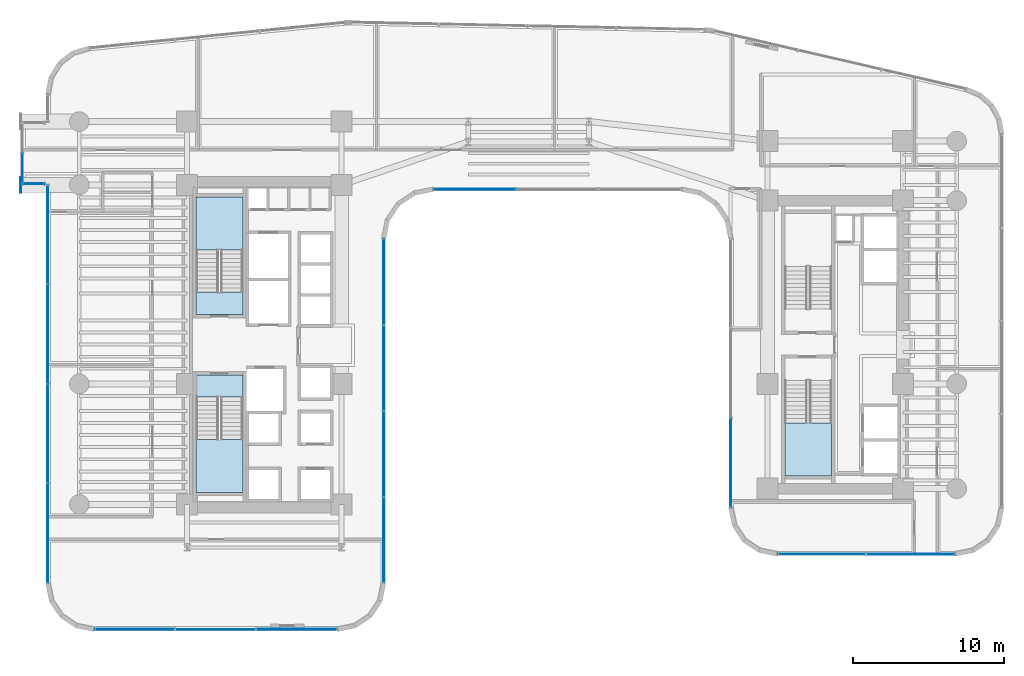
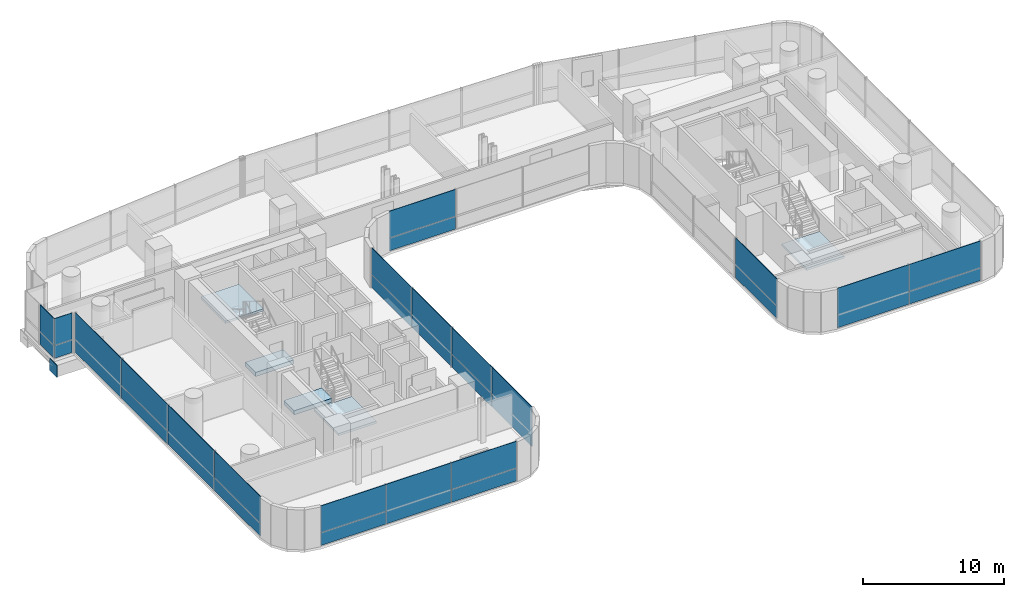
# One storey, part 29 of 40: 29 plates, 5 slabs, 11 elements without a shape of their own.
"""IFC4 building model written with IfcOpenShell, lengths in metres."""

from ifc_helpers import new_model, si_unit, direction, frame, origin, origin_2d, place, context, subcontext, project, spatial, polyline, rectangle, outline, extrude, source, transform, mapped, material, layer, layer_set, type_object, element, aggregate, save


model = new_model("IFC4")

# Units and contexts
model_context = context("Model", 3, precision=1e-05, world=origin(), true_north=direction((0.0, 1.0)))
body_context = subcontext(model_context, "Body", "Model", "MODEL_VIEW")
ifc_project = project(units=[si_unit("LENGTHUNIT", "METRE"), si_unit("AREAUNIT", "SQUARE_METRE"), si_unit("VOLUMEUNIT", "CUBIC_METRE"), si_unit("PLANEANGLEUNIT", "RADIAN"), si_unit("MASSUNIT", "GRAM", prefix="KILO")], contexts=[model_context])

# Site, building, storey
site_placement = place(None, origin())
site = spatial("IfcSite", under=ifc_project, at=site_placement, CompositionType="ELEMENT")
building_placement = place(site_placement, origin())
building = spatial("IfcBuilding", under=site, at=building_placement, Name="Valdorenza Pilgrim Sanctuary Tower", CompositionType="ELEMENT")
storey_placement = place(building_placement, frame((0.0, 0.0, 48.199951171875)))
storey = spatial("IfcBuildingStorey", under=building, at=storey_placement, Name="L11", CompositionType="ELEMENT", Elevation=48.199951171875)

# Stair, slab
ifc_material_1 = material(Name="Concrete C40/50", Category="concrete")
stair_type = type_object("IfcStairType", Name="STR-DOG-CORE", PredefinedType="HALF_TURN_STAIR", material=ifc_material_1)
stair_1_placement = place(storey_placement, origin())
stair_1 = element("IfcStair", 1, at=stair_1_placement, inside=storey, type_object=stair_type, Name="L11 ST-A1", PredefinedType="HALF_TURN_STAIR")
ifc_layer_1 = layer(ifc_material_1, 0.199951171875, Name="Concrete C40/50")
ifc_layer_set_1 = layer_set([ifc_layer_1], Name="Concrete C40/50")
slab_type_1 = type_object("IfcSlabType", Name="SLAB-STL-200", PredefinedType="LANDING", material=ifc_layer_set_1)
slab_1_placement = place(storey_placement, frame((0.0, 0.0, 1.650146484375)))
slab_1 = element("IfcSlab", 2, at=slab_1_placement, type_object=slab_type_1, Name="ST-A1 landing 1", PredefinedType="LANDING", context=body_context, shape_type="SweptSolid", body=[
    extrude(outline(polyline([(-18.93994140625, 6.280029296875), (-18.93994140625, 9.800048828125), (-22.050048828125, 9.800048828125), (-22.050048828125, 6.280029296875), (-18.93994140625, 6.280029296875)])), origin(), (0.0, 0.0, 1.0), 0.199951171875),
])
aggregate(stair_1, [slab_1])

stair_2_placement = place(storey_placement, origin())
stair_2 = element("IfcStair", 3, at=stair_2_placement, inside=storey, type_object=stair_type, Name="L11 ST-A2", PredefinedType="HALF_TURN_STAIR")
slab_2_placement = place(storey_placement, frame((0.0, 0.0, 1.650146484375)))
slab_2 = element("IfcSlab", 4, at=slab_2_placement, type_object=slab_type_1, Name="ST-A2 landing 1", PredefinedType="LANDING", context=body_context, shape_type="SweptSolid", body=[
    extrude(outline(polyline([(-22.050048828125, -6.280029296875), (-22.050048828125, -9.800048828125), (-18.93994140625, -9.800048828125), (-18.93994140625, -6.280029296875), (-22.050048828125, -6.280029296875)])), origin(), (0.0, 0.0, 1.0), 0.199951171875),
])
aggregate(stair_2, [slab_2])

stair_3_placement = place(storey_placement, origin())
stair_3 = element("IfcStair", 5, at=stair_3_placement, inside=storey, type_object=stair_type, Name="L11 ST-B2", PredefinedType="HALF_TURN_STAIR")
slab_3_placement = place(storey_placement, frame((0.0, 0.0, 1.650146484375)))
slab_3 = element("IfcSlab", 6, at=slab_3_placement, type_object=slab_type_1, Name="ST-B2 landing 1", PredefinedType="LANDING", context=body_context, shape_type="SweptSolid", body=[
    extrude(outline(polyline([(17.0, -5.179931640625), (17.0, -8.699951171875), (20.110107421875, -8.699951171875), (20.110107421875, -5.179931640625), (17.0, -5.179931640625)])), origin(), (0.0, 0.0, 1.0), 0.199951171875),
])
aggregate(stair_3, [slab_3])

# Slabs
ifc_material_2 = material(Name="Concrete C50/60", Category="concrete")
ifc_layer_2 = layer(ifc_material_2, 0.39990234375, Name="Concrete C50/60")
ifc_layer_set_2 = layer_set([ifc_layer_2], Name="Concrete C50/60")
slab_type_2 = type_object("IfcSlabType", Name="SLAB-TRF-400", PredefinedType="FLOOR", material=ifc_layer_set_2)
slab_4_placement = place(storey_placement, frame((0.0, 0.0, -0.35986328125)))
element("IfcSlab", 7, at=slab_4_placement, inside=storey, type_object=slab_type_2, Name="L11 ST-A1 Structural Stair Landing Bearing Slab", PredefinedType="FLOOR", context=body_context, shape_type="SweptSolid", body=[
    extrude(outline(polyline([(-22.050048828125, 2.0), (-18.93994140625, 2.0), (-18.93994140625, 3.485107421875), (-22.050048828125, 3.485107421875), (-22.050048828125, 2.0)])), origin(), (0.0, 0.0, 1.0), 0.35986328125),
])
slab_5_placement = place(storey_placement, frame((0.0, 0.0, -0.35986328125)))
element("IfcSlab", 8, at=slab_5_placement, inside=storey, type_object=slab_type_2, Name="L11 ST-A2 Structural Stair Landing Bearing Slab", PredefinedType="FLOOR", context=body_context, shape_type="SweptSolid", body=[
    extrude(outline(polyline([(-22.050048828125, -3.485107421875), (-18.93994140625, -3.485107421875), (-18.93994140625, -2.0), (-22.050048828125, -2.0), (-22.050048828125, -3.485107421875)])), origin(), (0.0, 0.0, 1.0), 0.35986328125),
])

# Plate
ifc_material_3 = material(Name="Steel ASTM A572 Grade 42", Category="steel")
ifc_layer_3 = layer(ifc_material_3, 0.06005859375, Name="Steel ASTM A572 Grade 42")
ifc_layer_set_3 = layer_set([ifc_layer_3], Name="Steel ASTM A572 Grade 42")
plate_type_1 = type_object("IfcPlateType", Name="PLT-CAP-60", PredefinedType="SHEET", material=ifc_layer_set_3)
shared_shape_1 = source(origin(), body_context, "Body", "SweptSolid", [
    extrude(rectangle(XDim=0.06005859375, YDim=1.0400390625, at=origin_2d()), origin(), (0.0, 0.0, 1.0), 1.0400390625),
])
plate_1_placement = place(storey_placement, frame((-33.679931640625, 10.60009765625, -1.260009765625), z_axis=(0.0, 0.0, 1.0), x_axis=(1.0, 0.0, 0.0)))
element("IfcPlate", 9, at=plate_1_placement, inside=storey, type_object=plate_type_1, Name="L11 BOX-WA-L11 Cantilever Tip End Cap S", PredefinedType="SHEET", context=body_context, shape_type="MappedRepresentation", body=[
    mapped(shared_shape_1, transform((0.0, 0.0, 0.0), x_axis=(1.0, 0.0, 0.0), y_axis=(0.0, 1.0, 0.0), z_axis=(0.0, 0.0, 1.0), scale=1.0)),
])

# Curtain wall, plates
ifc_material_4 = material(Name="Curtain-wall IGU glazing", Category="glass")
curtain_wall_type_1 = type_object("IfcCurtainWallType", Name="CW-SYS-03", PredefinedType="NOTDEFINED", material=ifc_material_4)
curtain_wall_1_placement = place(storey_placement, origin())
curtain_wall_1 = element("IfcCurtainWall", 10, at=curtain_wall_1_placement, inside=storey, type_object=curtain_wall_type_1, Name="L11 Curtain Wall CW-L11-1-26", PredefinedType="NOTDEFINED")
ifc_material_5 = material(Name="Honed travertine limestone", Category="masonry")
ifc_layer_4 = layer(ifc_material_5, 0.050048828125, Name="Honed travertine limestone")
ifc_layer_set_4 = layer_set([ifc_layer_4], Name="Honed travertine limestone")
plate_type_2 = type_object("IfcPlateType", Name="CW-SPN-TRV", PredefinedType="USERDEFINED", material=ifc_layer_set_4)
shared_shape_2 = source(origin(), body_context, "Body", "SweptSolid", [
    extrude(rectangle(XDim=5.869140625, YDim=0.06005859375, at=origin_2d()), origin(), (0.0, 0.0, 1.0), 1.10009765625),
])
plate_2_placement = place(storey_placement, frame((25.344482421875, -13.889892578125, 0.010009765625), z_axis=(0.0, 0.0, 1.0), x_axis=(-1.0, 0.0, 0.0)))
plate_2 = element("IfcPlate", 11, at=plate_2_placement, type_object=plate_type_2, Name="CW-L11-1-26 Travertine Spandrel 1", ObjectType="SPANDREL", PredefinedType="USERDEFINED", context=body_context, shape_type="MappedRepresentation", body=[
    mapped(shared_shape_2, transform((0.0, 0.0, 0.0), x_axis=(1.0, 0.0, 0.0), y_axis=(0.0, 1.0, 0.0), z_axis=(0.0, 0.0, 1.0), scale=1.0)),
])
ifc_material_6 = material(Name="Ceramic-fritted low-E IGU glazing", Category="glass")
ifc_layer_5 = layer(ifc_material_6, 0.035888671875, Name="Ceramic-fritted low-E IGU glazing")
ifc_layer_set_5 = layer_set([ifc_layer_5], Name="Ceramic-fritted low-E IGU glazing")
plate_type_3 = type_object("IfcPlateType", Name="CW-GLZ-IGU", PredefinedType="USERDEFINED", material=ifc_layer_set_5)
shared_shape_3 = source(origin(), body_context, "Body", "SweptSolid", [
    extrude(rectangle(XDim=5.869140625, YDim=0.050048828125, at=origin_2d()), origin(), (0.0, 0.0, 1.0), 2.320068359375),
])
plate_3_placement = place(storey_placement, frame((25.344482421875, -13.889892578125, 1.1298828125), z_axis=(0.0, 0.0, 1.0), x_axis=(-1.0, 0.0, 0.0)))
plate_3 = element("IfcPlate", 12, at=plate_3_placement, type_object=plate_type_3, Name="CW-L11-1-26 Facade Panel 1", ObjectType="GLAZING", PredefinedType="USERDEFINED", context=body_context, shape_type="MappedRepresentation", body=[
    mapped(shared_shape_3, transform((0.0, 0.0, 0.0), x_axis=(1.0, 0.0, 0.0), y_axis=(0.0, 1.0, 0.0), z_axis=(0.0, 0.0, 1.0), scale=1.0)),
])
shared_shape_4 = source(origin(), body_context, "Body", "SweptSolid", [
    extrude(rectangle(XDim=5.869140625, YDim=0.050048828125, at=origin_2d()), origin(), (0.0, 0.0, 1.0), 3.43994140625),
])
plate_4_placement = place(storey_placement, frame((19.455322265625, -13.889892578125, 0.010009765625), z_axis=(0.0, 0.0, 1.0), x_axis=(-1.0, 0.0, 0.0)))
plate_4 = element("IfcPlate", 13, at=plate_4_placement, type_object=plate_type_3, Name="CW-L11-1-26 Full-Height Facade Panel 2", ObjectType="GLAZING", PredefinedType="USERDEFINED", context=body_context, shape_type="MappedRepresentation", body=[
    mapped(shared_shape_4, transform((0.0, 0.0, 0.0), x_axis=(1.0, 0.0, 0.0), y_axis=(0.0, 1.0, 0.0), z_axis=(0.0, 0.0, 1.0), scale=1.0)),
])
aggregate(curtain_wall_1, [plate_2, plate_3, plate_4])

curtain_wall_2_placement = place(storey_placement, origin())
curtain_wall_2 = element("IfcCurtainWall", 14, at=curtain_wall_2_placement, inside=storey, type_object=curtain_wall_type_1, Name="L11 Curtain Wall CW-L11-1-31", PredefinedType="NOTDEFINED")
shared_shape_5 = source(origin(), body_context, "Body", "SweptSolid", [
    extrude(rectangle(XDim=5.913330078125, YDim=0.06005859375, at=origin_2d()), origin(), (0.0, 0.0, 1.0), 1.10009765625),
])
plate_5_placement = place(storey_placement, frame((13.409912109375, -7.822509765625, 0.010009765625), z_axis=(0.0, 0.0, 1.0), x_axis=(0.0, 1.0, 0.0)))
plate_5 = element("IfcPlate", 15, at=plate_5_placement, type_object=plate_type_2, Name="CW-L11-1-31 Travertine Spandrel 1", ObjectType="SPANDREL", PredefinedType="USERDEFINED", context=body_context, shape_type="MappedRepresentation", body=[
    mapped(shared_shape_5, transform((0.0, 0.0, 0.0), x_axis=(1.0, 0.0, 0.0), y_axis=(0.0, 1.0, 0.0), z_axis=(0.0, 0.0, 1.0), scale=1.0)),
])
shared_shape_6 = source(origin(), body_context, "Body", "SweptSolid", [
    extrude(rectangle(XDim=5.913330078125, YDim=0.050048828125, at=origin_2d()), origin(), (0.0, 0.0, 1.0), 2.320068359375),
])
plate_6_placement = place(storey_placement, frame((13.409912109375, -7.822509765625, 1.1298828125), z_axis=(0.0, 0.0, 1.0), x_axis=(0.0, 1.0, 0.0)))
plate_6 = element("IfcPlate", 16, at=plate_6_placement, type_object=plate_type_3, Name="CW-L11-1-31 Facade Panel 1", ObjectType="GLAZING", PredefinedType="USERDEFINED", context=body_context, shape_type="MappedRepresentation", body=[
    mapped(shared_shape_6, transform((0.0, 0.0, 0.0), x_axis=(1.0, 0.0, 0.0), y_axis=(0.0, 1.0, 0.0), z_axis=(0.0, 0.0, 1.0), scale=1.0)),
])
aggregate(curtain_wall_2, [plate_5, plate_6])

curtain_wall_type_2 = type_object("IfcCurtainWallType", Name="CW-SYS-02", PredefinedType="NOTDEFINED", material=ifc_material_4)
curtain_wall_3_placement = place(storey_placement, origin())
curtain_wall_3 = element("IfcCurtainWall", 17, at=curtain_wall_3_placement, inside=storey, type_object=curtain_wall_type_2, Name="L11 Curtain Wall CW-L11-1-36", PredefinedType="NOTDEFINED")
shared_shape_7 = source(origin(), body_context, "Body", "SweptSolid", [
    extrude(rectangle(XDim=5.453857421875, YDim=0.06005859375, at=origin_2d()), origin(), (0.0, 0.0, 1.0), 1.10009765625),
])
plate_7_placement = place(storey_placement, frame((-3.573974609375, 10.31005859375, 0.010009765625), z_axis=(0.0, 0.0, 1.0), x_axis=(-1.0, 0.0, 0.0)))
plate_7 = element("IfcPlate", 18, at=plate_7_placement, type_object=plate_type_2, Name="CW-L11-1-36 Travertine Spandrel 3", ObjectType="SPANDREL", PredefinedType="USERDEFINED", context=body_context, shape_type="MappedRepresentation", body=[
    mapped(shared_shape_7, transform((0.0, 0.0, 0.0), x_axis=(1.0, 0.0, 0.0), y_axis=(0.0, 1.0, 0.0), z_axis=(0.0, 0.0, 1.0), scale=1.0)),
])
shared_shape_8 = source(origin(), body_context, "Body", "SweptSolid", [
    extrude(rectangle(XDim=5.453857421875, YDim=0.050048828125, at=origin_2d()), origin(), (0.0, 0.0, 1.0), 2.320068359375),
])
plate_8_placement = place(storey_placement, frame((-3.573974609375, 10.31005859375, 1.1298828125), z_axis=(0.0, 0.0, 1.0), x_axis=(-1.0, 0.0, 0.0)))
plate_8 = element("IfcPlate", 19, at=plate_8_placement, type_object=plate_type_3, Name="CW-L11-1-36 Facade Panel 3", ObjectType="GLAZING", PredefinedType="USERDEFINED", context=body_context, shape_type="MappedRepresentation", body=[
    mapped(shared_shape_8, transform((0.0, 0.0, 0.0), x_axis=(1.0, 0.0, 0.0), y_axis=(0.0, 1.0, 0.0), z_axis=(0.0, 0.0, 1.0), scale=1.0)),
])
aggregate(curtain_wall_3, [plate_7, plate_8])

curtain_wall_4_placement = place(storey_placement, origin())
curtain_wall_4 = element("IfcCurtainWall", 20, at=curtain_wall_4_placement, inside=storey, type_object=curtain_wall_type_2, Name="L11 Curtain Wall CW-L11-1-41", PredefinedType="NOTDEFINED")
shared_shape_9 = source(origin(), body_context, "Body", "SweptSolid", [
    extrude(rectangle(XDim=5.679931640625, YDim=0.06005859375, at=origin_2d()), origin(), (0.0, 0.0, 1.0), 1.10009765625),
])
plate_9_placement = place(storey_placement, frame((-9.610107421875, 4.160888671875, 0.010009765625), z_axis=(0.0, 0.0, 1.0), x_axis=(0.0, -1.0, 0.0)))
plate_9 = element("IfcPlate", 21, at=plate_9_placement, type_object=plate_type_2, Name="CW-L11-1-41 Travertine Spandrel 1", ObjectType="SPANDREL", PredefinedType="USERDEFINED", context=body_context, shape_type="MappedRepresentation", body=[
    mapped(shared_shape_9, transform((0.0, 0.0, 0.0), x_axis=(1.0, 0.0, 0.0), y_axis=(0.0, 1.0, 0.0), z_axis=(0.0, 0.0, 1.0), scale=1.0)),
])
plate_10_placement = place(storey_placement, frame((-9.610107421875, -7.2392578125, 0.010009765625), z_axis=(0.0, 0.0, 1.0), x_axis=(0.0, -1.0, 0.0)))
plate_10 = element("IfcPlate", 22, at=plate_10_placement, type_object=plate_type_2, Name="CW-L11-1-41 Travertine Spandrel 3", ObjectType="SPANDREL", PredefinedType="USERDEFINED", context=body_context, shape_type="MappedRepresentation", body=[
    mapped(shared_shape_9, transform((0.0, 0.0, 0.0), x_axis=(1.0, 0.0, 0.0), y_axis=(0.0, 1.0, 0.0), z_axis=(0.0, 0.0, 1.0), scale=1.0)),
])
shared_shape_10 = source(origin(), body_context, "Body", "SweptSolid", [
    extrude(rectangle(XDim=5.679931640625, YDim=0.050048828125, at=origin_2d()), origin(), (0.0, 0.0, 1.0), 2.320068359375),
])
plate_11_placement = place(storey_placement, frame((-9.610107421875, 4.160888671875, 1.1298828125), z_axis=(0.0, 0.0, 1.0), x_axis=(0.0, -1.0, 0.0)))
plate_11 = element("IfcPlate", 23, at=plate_11_placement, type_object=plate_type_3, Name="CW-L11-1-41 Facade Panel 1", ObjectType="GLAZING", PredefinedType="USERDEFINED", context=body_context, shape_type="MappedRepresentation", body=[
    mapped(shared_shape_10, transform((0.0, 0.0, 0.0), x_axis=(1.0, 0.0, 0.0), y_axis=(0.0, 1.0, 0.0), z_axis=(0.0, 0.0, 1.0), scale=1.0)),
])
plate_12_placement = place(storey_placement, frame((-9.610107421875, -7.2392578125, 1.1298828125), z_axis=(0.0, 0.0, 1.0), x_axis=(0.0, -1.0, 0.0)))
plate_12 = element("IfcPlate", 24, at=plate_12_placement, type_object=plate_type_3, Name="CW-L11-1-41 Facade Panel 3", ObjectType="GLAZING", PredefinedType="USERDEFINED", context=body_context, shape_type="MappedRepresentation", body=[
    mapped(shared_shape_10, transform((0.0, 0.0, 0.0), x_axis=(1.0, 0.0, 0.0), y_axis=(0.0, 1.0, 0.0), z_axis=(0.0, 0.0, 1.0), scale=1.0)),
])
shared_shape_11 = source(origin(), body_context, "Body", "SweptSolid", [
    extrude(rectangle(XDim=5.679931640625, YDim=0.050048828125, at=origin_2d()), origin(), (0.0, 0.0, 1.0), 3.43994140625),
])
plate_13_placement = place(storey_placement, frame((-9.610107421875, -1.539306640625, 0.010009765625), z_axis=(0.0, 0.0, 1.0), x_axis=(0.0, -1.0, 0.0)))
plate_13 = element("IfcPlate", 25, at=plate_13_placement, type_object=plate_type_3, Name="CW-L11-1-41 Full-Height Facade Panel 2", ObjectType="GLAZING", PredefinedType="USERDEFINED", context=body_context, shape_type="MappedRepresentation", body=[
    mapped(shared_shape_11, transform((0.0, 0.0, 0.0), x_axis=(1.0, 0.0, 0.0), y_axis=(0.0, 1.0, 0.0), z_axis=(0.0, 0.0, 1.0), scale=1.0)),
])
plate_14_placement = place(storey_placement, frame((-9.610107421875, -12.939208984375, 0.010009765625), z_axis=(0.0, 0.0, 1.0), x_axis=(0.0, -1.0, 0.0)))
plate_14 = element("IfcPlate", 26, at=plate_14_placement, type_object=plate_type_3, Name="CW-L11-1-41 Full-Height Facade Panel 4", ObjectType="GLAZING", PredefinedType="USERDEFINED", context=body_context, shape_type="MappedRepresentation", body=[
    mapped(shared_shape_11, transform((0.0, 0.0, 0.0), x_axis=(1.0, 0.0, 0.0), y_axis=(0.0, 1.0, 0.0), z_axis=(0.0, 0.0, 1.0), scale=1.0)),
])
aggregate(curtain_wall_4, [plate_9, plate_11, plate_13, plate_10, plate_12, plate_14])

curtain_wall_5_placement = place(storey_placement, origin())
curtain_wall_5 = element("IfcCurtainWall", 27, at=curtain_wall_5_placement, inside=storey, type_object=curtain_wall_type_2, Name="L11 Curtain Wall CW-L11-1-46", PredefinedType="NOTDEFINED")
shared_shape_12 = source(origin(), body_context, "Body", "SweptSolid", [
    extrude(rectangle(XDim=5.339599609375, YDim=0.06005859375, at=origin_2d()), origin(), (0.0, 0.0, 1.0), 1.10009765625),
])
plate_15_placement = place(storey_placement, frame((-15.390380859375, -18.889892578125, 0.010009765625), z_axis=(0.0, 0.0, 1.0), x_axis=(-1.0, 0.0, 0.0)))
plate_15 = element("IfcPlate", 28, at=plate_15_placement, type_object=plate_type_2, Name="CW-L11-1-46 Travertine Spandrel 1", ObjectType="SPANDREL", PredefinedType="USERDEFINED", context=body_context, shape_type="MappedRepresentation", body=[
    mapped(shared_shape_12, transform((0.0, 0.0, 0.0), x_axis=(1.0, 0.0, 0.0), y_axis=(0.0, 1.0, 0.0), z_axis=(0.0, 0.0, 1.0), scale=1.0)),
])
plate_16_placement = place(storey_placement, frame((-26.109619140625, -18.889892578125, 0.010009765625), z_axis=(0.0, 0.0, 1.0), x_axis=(-1.0, 0.0, 0.0)))
plate_16 = element("IfcPlate", 29, at=plate_16_placement, type_object=plate_type_2, Name="CW-L11-1-46 Travertine Spandrel 3", ObjectType="SPANDREL", PredefinedType="USERDEFINED", context=body_context, shape_type="MappedRepresentation", body=[
    mapped(shared_shape_12, transform((0.0, 0.0, 0.0), x_axis=(1.0, 0.0, 0.0), y_axis=(0.0, 1.0, 0.0), z_axis=(0.0, 0.0, 1.0), scale=1.0)),
])
shared_shape_13 = source(origin(), body_context, "Body", "SweptSolid", [
    extrude(rectangle(XDim=5.339599609375, YDim=0.050048828125, at=origin_2d()), origin(), (0.0, 0.0, 1.0), 2.320068359375),
])
plate_17_placement = place(storey_placement, frame((-15.390380859375, -18.889892578125, 1.1298828125), z_axis=(0.0, 0.0, 1.0), x_axis=(-1.0, 0.0, 0.0)))
plate_17 = element("IfcPlate", 30, at=plate_17_placement, type_object=plate_type_3, Name="CW-L11-1-46 Facade Panel 1", ObjectType="GLAZING", PredefinedType="USERDEFINED", context=body_context, shape_type="MappedRepresentation", body=[
    mapped(shared_shape_13, transform((0.0, 0.0, 0.0), x_axis=(1.0, 0.0, 0.0), y_axis=(0.0, 1.0, 0.0), z_axis=(0.0, 0.0, 1.0), scale=1.0)),
])
plate_18_placement = place(storey_placement, frame((-26.109619140625, -18.889892578125, 1.1298828125), z_axis=(0.0, 0.0, 1.0), x_axis=(-1.0, 0.0, 0.0)))
plate_18 = element("IfcPlate", 31, at=plate_18_placement, type_object=plate_type_3, Name="CW-L11-1-46 Facade Panel 3", ObjectType="GLAZING", PredefinedType="USERDEFINED", context=body_context, shape_type="MappedRepresentation", body=[
    mapped(shared_shape_13, transform((0.0, 0.0, 0.0), x_axis=(1.0, 0.0, 0.0), y_axis=(0.0, 1.0, 0.0), z_axis=(0.0, 0.0, 1.0), scale=1.0)),
])
shared_shape_14 = source(origin(), body_context, "Body", "SweptSolid", [
    extrude(rectangle(XDim=5.339599609375, YDim=0.050048828125, at=origin_2d()), origin(), (0.0, 0.0, 1.0), 3.43994140625),
])
plate_19_placement = place(storey_placement, frame((-20.75, -18.889892578125, 0.010009765625), z_axis=(0.0, 0.0, 1.0), x_axis=(-1.0, 0.0, 0.0)))
plate_19 = element("IfcPlate", 32, at=plate_19_placement, type_object=plate_type_3, Name="CW-L11-1-46 Full-Height Facade Panel 2", ObjectType="GLAZING", PredefinedType="USERDEFINED", context=body_context, shape_type="MappedRepresentation", body=[
    mapped(shared_shape_14, transform((0.0, 0.0, 0.0), x_axis=(1.0, 0.0, 0.0), y_axis=(0.0, 1.0, 0.0), z_axis=(0.0, 0.0, 1.0), scale=1.0)),
])
aggregate(curtain_wall_5, [plate_15, plate_17, plate_19, plate_16, plate_18])

curtain_wall_6_placement = place(storey_placement, origin())
curtain_wall_6 = element("IfcCurtainWall", 33, at=curtain_wall_6_placement, inside=storey, type_object=curtain_wall_type_2, Name="L11 Curtain Wall CW-L11-BOX-WA-L11-S", PredefinedType="NOTDEFINED")
shared_shape_15 = source(origin(), body_context, "Body", "SweptSolid", [
    extrude(rectangle(XDim=1.43994140625, YDim=0.06005859375, at=origin_2d()), origin(), (0.0, 0.0, 1.0), 1.10009765625),
])
plate_20_placement = place(storey_placement, frame((-32.840087890625, 10.679931640625, 0.010009765625), z_axis=(0.0, 0.0, 1.0), x_axis=(-1.0, 0.0, 0.0)))
plate_20 = element("IfcPlate", 34, at=plate_20_placement, type_object=plate_type_2, Name="CW-L11-BOX-WA-L11-S Travertine Spandrel 1", ObjectType="SPANDREL", PredefinedType="USERDEFINED", context=body_context, shape_type="MappedRepresentation", body=[
    mapped(shared_shape_15, transform((0.0, 0.0, 0.0), x_axis=(1.0, 0.0, 0.0), y_axis=(0.0, 1.0, 0.0), z_axis=(0.0, 0.0, 1.0), scale=1.0)),
])
shared_shape_16 = source(origin(), body_context, "Body", "SweptSolid", [
    extrude(rectangle(XDim=1.43994140625, YDim=0.050048828125, at=origin_2d()), origin(), (0.0, 0.0, 1.0), 2.320068359375),
])
plate_21_placement = place(storey_placement, frame((-32.840087890625, 10.679931640625, 1.1298828125), z_axis=(0.0, 0.0, 1.0), x_axis=(-1.0, 0.0, 0.0)))
plate_21 = element("IfcPlate", 35, at=plate_21_placement, type_object=plate_type_3, Name="CW-L11-BOX-WA-L11-S Facade Panel 1", ObjectType="GLAZING", PredefinedType="USERDEFINED", context=body_context, shape_type="MappedRepresentation", body=[
    mapped(shared_shape_16, transform((0.0, 0.0, 0.0), x_axis=(1.0, 0.0, 0.0), y_axis=(0.0, 1.0, 0.0), z_axis=(0.0, 0.0, 1.0), scale=1.0)),
])
aggregate(curtain_wall_6, [plate_20, plate_21])

curtain_wall_7_placement = place(storey_placement, origin())
curtain_wall_7 = element("IfcCurtainWall", 36, at=curtain_wall_7_placement, inside=storey, type_object=curtain_wall_type_2, Name="L11 Curtain Wall CW-L11-1-1S1", PredefinedType="NOTDEFINED")
shared_shape_17 = source(origin(), body_context, "Body", "SweptSolid", [
    extrude(rectangle(XDim=6.577392578125, YDim=0.06005859375, at=origin_2d()), origin(), (0.0, 0.0, 1.0), 1.10009765625),
])
plate_22_placement = place(storey_placement, frame((-31.889892578125, -12.490478515625, 0.010009765625), z_axis=(0.0, 0.0, 1.0), x_axis=(0.0, 1.0, 0.0)))
plate_22 = element("IfcPlate", 37, at=plate_22_placement, type_object=plate_type_2, Name="CW-L11-1-1S1 Travertine Spandrel 1", ObjectType="SPANDREL", PredefinedType="USERDEFINED", context=body_context, shape_type="MappedRepresentation", body=[
    mapped(shared_shape_17, transform((0.0, 0.0, 0.0), x_axis=(1.0, 0.0, 0.0), y_axis=(0.0, 1.0, 0.0), z_axis=(0.0, 0.0, 1.0), scale=1.0)),
])
plate_23_placement = place(storey_placement, frame((-31.889892578125, 0.7041015625, 0.010009765625), z_axis=(0.0, 0.0, 1.0), x_axis=(0.0, 1.0, 0.0)))
plate_23 = element("IfcPlate", 38, at=plate_23_placement, type_object=plate_type_2, Name="CW-L11-1-1S1 Travertine Spandrel 3", ObjectType="SPANDREL", PredefinedType="USERDEFINED", context=body_context, shape_type="MappedRepresentation", body=[
    mapped(shared_shape_17, transform((0.0, 0.0, 0.0), x_axis=(1.0, 0.0, 0.0), y_axis=(0.0, 1.0, 0.0), z_axis=(0.0, 0.0, 1.0), scale=1.0)),
])
shared_shape_18 = source(origin(), body_context, "Body", "SweptSolid", [
    extrude(rectangle(XDim=6.577392578125, YDim=0.050048828125, at=origin_2d()), origin(), (0.0, 0.0, 1.0), 2.320068359375),
])
plate_24_placement = place(storey_placement, frame((-31.889892578125, -12.490478515625, 1.1298828125), z_axis=(0.0, 0.0, 1.0), x_axis=(0.0, 1.0, 0.0)))
plate_24 = element("IfcPlate", 39, at=plate_24_placement, type_object=plate_type_3, Name="CW-L11-1-1S1 Facade Panel 1", ObjectType="GLAZING", PredefinedType="USERDEFINED", context=body_context, shape_type="MappedRepresentation", body=[
    mapped(shared_shape_18, transform((0.0, 0.0, 0.0), x_axis=(1.0, 0.0, 0.0), y_axis=(0.0, 1.0, 0.0), z_axis=(0.0, 0.0, 1.0), scale=1.0)),
])
plate_25_placement = place(storey_placement, frame((-31.889892578125, 0.7041015625, 1.1298828125), z_axis=(0.0, 0.0, 1.0), x_axis=(0.0, 1.0, 0.0)))
plate_25 = element("IfcPlate", 40, at=plate_25_placement, type_object=plate_type_3, Name="CW-L11-1-1S1 Facade Panel 3", ObjectType="GLAZING", PredefinedType="USERDEFINED", context=body_context, shape_type="MappedRepresentation", body=[
    mapped(shared_shape_18, transform((0.0, 0.0, 0.0), x_axis=(1.0, 0.0, 0.0), y_axis=(0.0, 1.0, 0.0), z_axis=(0.0, 0.0, 1.0), scale=1.0)),
])
shared_shape_19 = source(origin(), body_context, "Body", "SweptSolid", [
    extrude(rectangle(XDim=6.577392578125, YDim=0.050048828125, at=origin_2d()), origin(), (0.0, 0.0, 1.0), 3.43994140625),
])
plate_26_placement = place(storey_placement, frame((-31.889892578125, -5.893310546875, 0.010009765625), z_axis=(0.0, 0.0, 1.0), x_axis=(0.0, 1.0, 0.0)))
plate_26 = element("IfcPlate", 41, at=plate_26_placement, type_object=plate_type_3, Name="CW-L11-1-1S1 Full-Height Facade Panel 2", ObjectType="GLAZING", PredefinedType="USERDEFINED", context=body_context, shape_type="MappedRepresentation", body=[
    mapped(shared_shape_19, transform((0.0, 0.0, 0.0), x_axis=(1.0, 0.0, 0.0), y_axis=(0.0, 1.0, 0.0), z_axis=(0.0, 0.0, 1.0), scale=1.0)),
])
plate_27_placement = place(storey_placement, frame((-31.889892578125, 7.301513671875, 0.010009765625), z_axis=(0.0, 0.0, 1.0), x_axis=(0.0, 1.0, 0.0)))
plate_27 = element("IfcPlate", 42, at=plate_27_placement, type_object=plate_type_3, Name="CW-L11-1-1S1 Full-Height Facade Panel 4", ObjectType="GLAZING", PredefinedType="USERDEFINED", context=body_context, shape_type="MappedRepresentation", body=[
    mapped(shared_shape_19, transform((0.0, 0.0, 0.0), x_axis=(1.0, 0.0, 0.0), y_axis=(0.0, 1.0, 0.0), z_axis=(0.0, 0.0, 1.0), scale=1.0)),
])
aggregate(curtain_wall_7, [plate_22, plate_24, plate_26, plate_23, plate_25, plate_27])

curtain_wall_8_placement = place(storey_placement, origin())
curtain_wall_8 = element("IfcCurtainWall", 43, at=curtain_wall_8_placement, inside=storey, type_object=curtain_wall_type_2, Name="L11 Curtain Wall CW-L11-BOX-WA-L11-F", PredefinedType="NOTDEFINED")
shared_shape_20 = source(origin(), body_context, "Body", "SweptSolid", [
    extrude(rectangle(XDim=2.0, YDim=0.06005859375, at=origin_2d()), origin(), (0.0, 0.0, 1.0), 1.10009765625),
])
plate_28_placement = place(storey_placement, frame((-33.570068359375, 11.68994140625, 0.010009765625), z_axis=(0.0, 0.0, 1.0), x_axis=(0.0, 1.0, 0.0)))
plate_28 = element("IfcPlate", 44, at=plate_28_placement, type_object=plate_type_2, Name="CW-L11-BOX-WA-L11-F Travertine Spandrel 1", ObjectType="SPANDREL", PredefinedType="USERDEFINED", context=body_context, shape_type="MappedRepresentation", body=[
    mapped(shared_shape_20, transform((0.0, 0.0, 0.0), x_axis=(1.0, 0.0, 0.0), y_axis=(0.0, 1.0, 0.0), z_axis=(0.0, 0.0, 1.0), scale=1.0)),
])
shared_shape_21 = source(origin(), body_context, "Body", "SweptSolid", [
    extrude(rectangle(XDim=2.0, YDim=0.050048828125, at=origin_2d()), origin(), (0.0, 0.0, 1.0), 2.320068359375),
])
plate_29_placement = place(storey_placement, frame((-33.570068359375, 11.68994140625, 1.1298828125), z_axis=(0.0, 0.0, 1.0), x_axis=(0.0, 1.0, 0.0)))
plate_29 = element("IfcPlate", 45, at=plate_29_placement, type_object=plate_type_3, Name="CW-L11-BOX-WA-L11-F Facade Panel 1", ObjectType="GLAZING", PredefinedType="USERDEFINED", context=body_context, shape_type="MappedRepresentation", body=[
    mapped(shared_shape_21, transform((0.0, 0.0, 0.0), x_axis=(1.0, 0.0, 0.0), y_axis=(0.0, 1.0, 0.0), z_axis=(0.0, 0.0, 1.0), scale=1.0)),
])
aggregate(curtain_wall_8, [plate_28, plate_29])

save(model, "model.ifc")
